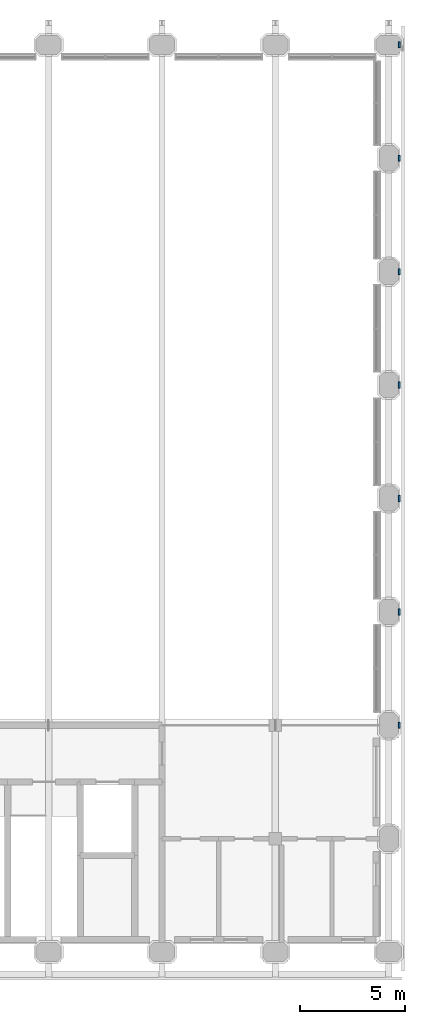
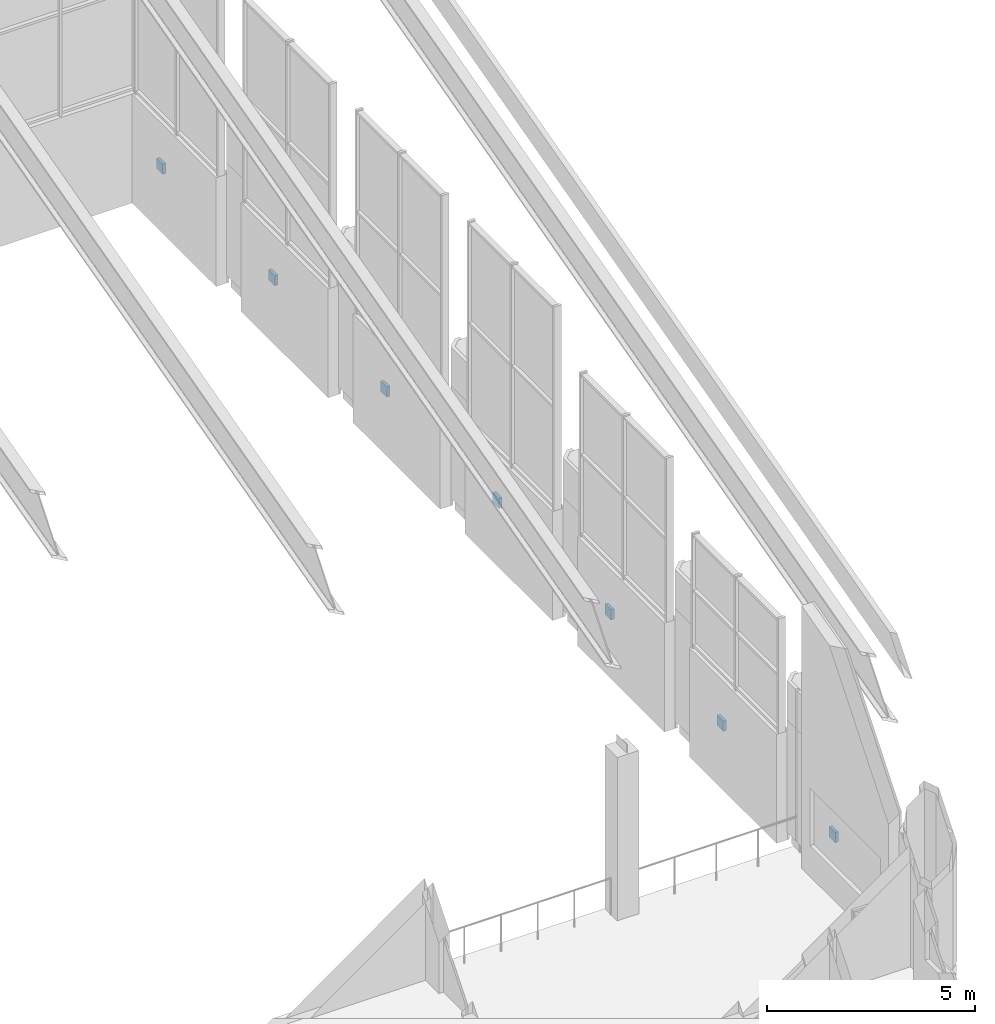
# One storey, part 35 of 42: 7 discrete accessories.
"""IFC4 building model written with IfcOpenShell, lengths in metres."""

from ifc_helpers import new_model, si_unit, direction, frame, origin, origin_2d, place, context, subcontext, project, spatial, rectangle, extrude, element, save


model = new_model("IFC4")

# Units and contexts
model_context = context("Model", 3, precision=1e-05, world=origin(), true_north=direction((0.0, 1.0)))
body_context = subcontext(model_context, "Body", "Model", "MODEL_VIEW")
ifc_project = project(units=[si_unit("LENGTHUNIT", "METRE"), si_unit("AREAUNIT", "SQUARE_METRE"), si_unit("VOLUMEUNIT", "CUBIC_METRE"), si_unit("PLANEANGLEUNIT", "RADIAN"), si_unit("MASSUNIT", "GRAM", prefix="KILO")], contexts=[model_context])

# Site, building, storey
site_placement = place(None, origin())
site = spatial("IfcSite", under=ifc_project, at=site_placement, CompositionType="ELEMENT")
building_placement = place(site_placement, origin())
building = spatial("IfcBuilding", under=site, at=building_placement, Name="Tabaq Tower and Sports Hall", CompositionType="ELEMENT")
storey_placement = place(building_placement, frame((0.0, 0.0, 19.800048828125)))
storey = spatial("IfcBuildingStorey", under=building, at=storey_placement, Name="L03", CompositionType="ELEMENT", Elevation=19.800048828125)

# Discrete accessories
for number, where, z_axis, x_axis, name in (
    (1, (124.695068359375, 10.800048828125, 0.0498046875), (0.0, 0.0, 1.0), (1.0, 0.0, 0.0), "Screen bracket 02-3"),
    (2, (124.695068359375, 16.199951171875, 0.0498046875), (0.0, 0.0, 1.0), (1.0, 0.0, 0.0), "Screen bracket 03-3"),
    (3, (124.695068359375, 21.60009765625, 0.0498046875), (0.0, 0.0, 1.0), (1.0, 0.0, 0.0), "Screen bracket 04-3"),
    (4, (124.695068359375, 27.0, 0.0498046875), (0.0, 0.0, 1.0), (1.0, 0.0, 0.0), "Screen bracket 05-3"),
    (5, (124.695068359375, 32.39990234375, 0.0498046875), (0.0, 0.0, 1.0), (1.0, 0.0, 0.0), "Screen bracket 06-3"),
    (6, (124.695068359375, 37.800048828125, 0.0498046875), (0.0, 0.0, 1.0), (1.0, 0.0, 0.0), "Screen bracket 07-3"),
    (7, (124.695068359375, 43.199951171875, 0.0498046875), (0.0, 0.0, 1.0), (1.0, 0.0, 0.0), "Screen bracket 08-3"),
):
    element("IfcDiscreteAccessory", number, at=place(storey_placement, frame(where, z_axis=z_axis, x_axis=x_axis)), inside=storey, Name=name, PredefinedType="NOTDEFINED", context=body_context, shape_type="SweptSolid", body=[
        extrude(rectangle(XDim=0.090087890625, YDim=0.300048828125, at=origin_2d()), origin(), (0.0, 0.0, 1.0), 0.300048828125),
    ])

save(model, "model.ifc")
